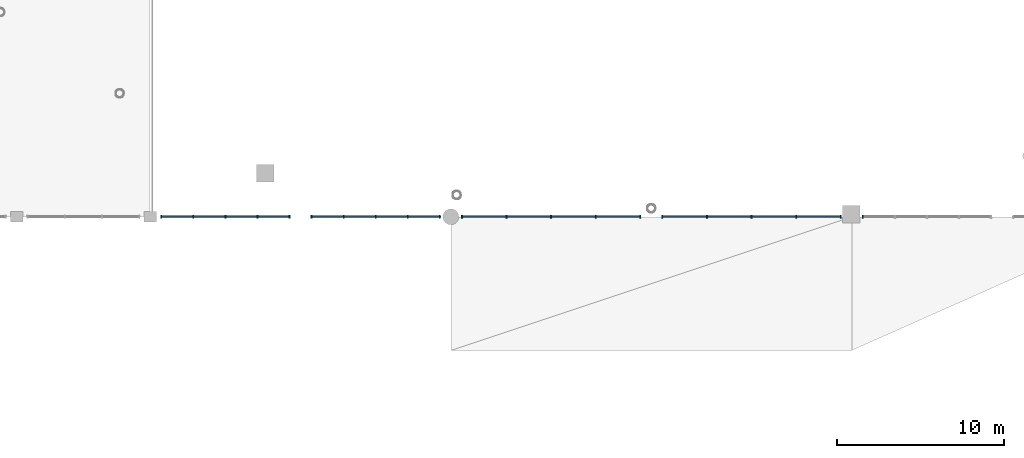
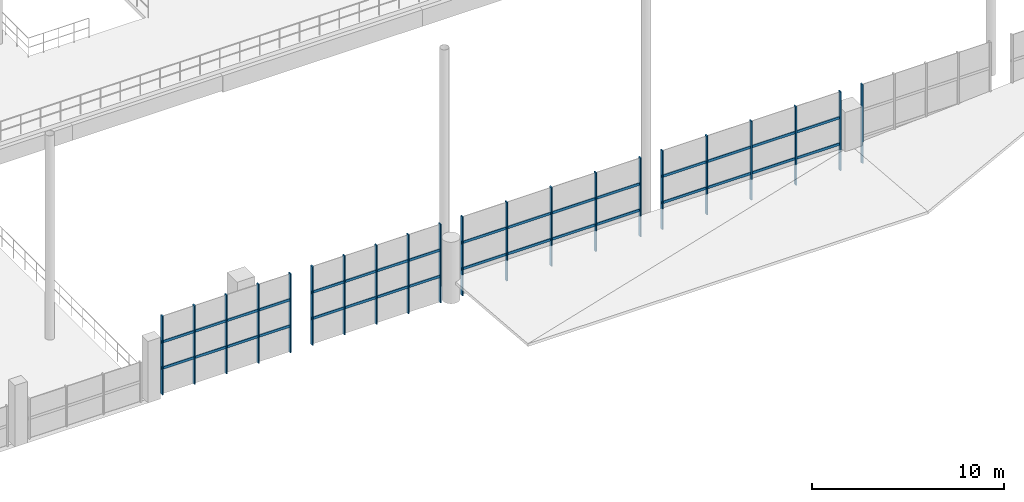
# One storey, part 25 of 123: 29 members, 5 elements without a shape of their own.
"""IFC4 building model written with IfcOpenShell, lengths in metres."""

from ifc_helpers import new_model, si_unit, derived_unit, direction, frame, origin, origin_2d, place, context, subcontext, project, spatial, rectangle, extrude, material, layer, layer_set, material_profile, profile_set, type_object, element, aggregate, save


model = new_model("IFC4")

# Units and contexts
model_context = context("Model", 3, precision=1e-05, world=origin(), true_north=direction((0.0, 1.0)))
body_context = subcontext(model_context, "Body", "Model", "MODEL_VIEW")
ifc_project = project(units=[si_unit("LENGTHUNIT", "METRE"), si_unit("AREAUNIT", "SQUARE_METRE"), si_unit("VOLUMEUNIT", "CUBIC_METRE"), si_unit("PLANEANGLEUNIT", "RADIAN"), si_unit("MASSUNIT", "GRAM", prefix="KILO"), si_unit("THERMODYNAMICTEMPERATUREUNIT", "KELVIN"), derived_unit("THERMALTRANSMITTANCEUNIT", [(si_unit("POWERUNIT", "WATT"), 1), (si_unit("AREAUNIT", "SQUARE_METRE"), -1), (si_unit("THERMODYNAMICTEMPERATUREUNIT", "KELVIN"), -1)])], contexts=[model_context])

# Site, building, storey
site_placement = place(None, origin())
site = spatial("IfcSite", under=ifc_project, at=site_placement, CompositionType="ELEMENT")
building_placement = place(site_placement, origin())
building = spatial("IfcBuilding", under=site, at=building_placement, Name="Haiyu Intermodal Mobility Hub", CompositionType="ELEMENT")
storey_placement = place(building_placement, frame((0.0, 0.0, 5.60009765625)))
storey = spatial("IfcBuildingStorey", under=building, at=storey_placement, Name="L01", CompositionType="ELEMENT", Elevation=5.60009765625)

# Curtain wall, members
ifc_material_1 = material(Name="Low-e laminated insulating glass", Category="glass")
ifc_layer = layer(ifc_material_1, 0.219970703125)
ifc_layer_set = layer_set([ifc_layer], Name="Low-e laminated insulating glass")
curtain_wall_type = type_object("IfcCurtainWallType", Name="CW-CW01", PredefinedType="NOTDEFINED", material=ifc_layer_set)
curtain_wall_1_placement = place(storey_placement, origin())
curtain_wall_1 = element("IfcCurtainWall", 1, at=curtain_wall_1_placement, inside=storey, type_object=curtain_wall_type, Name="Curtain Wall CW-V1S-UP-006", PredefinedType="NOTDEFINED")
ifc_material_2 = material(Name="Anodised aluminium 6063-T6", Category="aluminium")
ifc_material_profile_1 = material_profile(ifc_material_2, rectangle(XDim=0.074951171875, YDim=0.199951171875, at=origin_2d()), Name="ALU75x200")
ifc_profile_set_1 = profile_set([ifc_material_profile_1], Name="Anodised aluminium 6063-T6")
member_type_1 = type_object("IfcMemberType", Name="CWM-ML01", PredefinedType="MULLION", material=ifc_profile_set_1)
member_1_placement = place(storey_placement, frame((78.659912109375, 40.0, 0.0), z_axis=(0.0, 0.0, 1.0), x_axis=(1.0, 0.0, 0.0)))
member_1 = element("IfcMember", 2, at=member_1_placement, type_object=member_type_1, Name="CW-V1S-UP-006-ML01", PredefinedType="MULLION", context=body_context, shape_type="SweptSolid", body=[
    extrude(rectangle(XDim=0.074951171875, YDim=0.199951171875, at=origin_2d()), origin(), (0.0, 0.0, 1.0), 5.0),
])
member_2_placement = place(storey_placement, frame((80.580078125, 40.0, 0.0), z_axis=(0.0, 0.0, 1.0), x_axis=(1.0, 0.0, 0.0)))
member_2 = element("IfcMember", 3, at=member_2_placement, type_object=member_type_1, Name="CW-V1S-UP-006-ML02", PredefinedType="MULLION", context=body_context, shape_type="SweptSolid", body=[
    extrude(rectangle(XDim=0.074951171875, YDim=0.199951171875, at=origin_2d()), origin(), (0.0, 0.0, 1.0), 5.0),
])
member_3_placement = place(storey_placement, frame((82.5, 40.0, 0.0), z_axis=(0.0, 0.0, 1.0), x_axis=(1.0, 0.0, 0.0)))
member_3 = element("IfcMember", 4, at=member_3_placement, type_object=member_type_1, Name="CW-V1S-UP-006-ML03", PredefinedType="MULLION", context=body_context, shape_type="SweptSolid", body=[
    extrude(rectangle(XDim=0.074951171875, YDim=0.199951171875, at=origin_2d()), origin(), (0.0, 0.0, 1.0), 5.0),
])
member_4_placement = place(storey_placement, frame((84.419921875, 40.0, 0.0), z_axis=(0.0, 0.0, 1.0), x_axis=(1.0, 0.0, 0.0)))
member_4 = element("IfcMember", 5, at=member_4_placement, type_object=member_type_1, Name="CW-V1S-UP-006-ML04", PredefinedType="MULLION", context=body_context, shape_type="SweptSolid", body=[
    extrude(rectangle(XDim=0.074951171875, YDim=0.199951171875, at=origin_2d()), origin(), (0.0, 0.0, 1.0), 5.0),
])
member_5_placement = place(storey_placement, frame((86.340087890625, 40.0, 0.0), z_axis=(0.0, 0.0, 1.0), x_axis=(1.0, 0.0, 0.0)))
member_5 = element("IfcMember", 6, at=member_5_placement, type_object=member_type_1, Name="CW-V1S-UP-006-ML05", PredefinedType="MULLION", context=body_context, shape_type="SweptSolid", body=[
    extrude(rectangle(XDim=0.074951171875, YDim=0.199951171875, at=origin_2d()), origin(), (0.0, 0.0, 1.0), 5.0),
])

curtain_wall_2_placement = place(storey_placement, origin())
curtain_wall_2 = element("IfcCurtainWall", 7, at=curtain_wall_2_placement, inside=storey, type_object=curtain_wall_type, Name="Curtain Wall CW-V1S-UP-008", PredefinedType="NOTDEFINED")
member_6_placement = place(storey_placement, frame((87.659912109375, 40.0, 0.0), z_axis=(0.0, 0.0, 1.0), x_axis=(1.0, 0.0, 0.0)))
member_6 = element("IfcMember", 8, at=member_6_placement, type_object=member_type_1, Name="CW-V1S-UP-008-ML01", PredefinedType="MULLION", context=body_context, shape_type="SweptSolid", body=[
    extrude(rectangle(XDim=0.074951171875, YDim=0.199951171875, at=origin_2d()), origin(), (0.0, 0.0, 1.0), 5.0),
])
member_7_placement = place(storey_placement, frame((89.580078125, 40.0, 0.0), z_axis=(0.0, 0.0, 1.0), x_axis=(1.0, 0.0, 0.0)))
member_7 = element("IfcMember", 9, at=member_7_placement, type_object=member_type_1, Name="CW-V1S-UP-008-ML02", PredefinedType="MULLION", context=body_context, shape_type="SweptSolid", body=[
    extrude(rectangle(XDim=0.074951171875, YDim=0.199951171875, at=origin_2d()), origin(), (0.0, 0.0, 1.0), 5.0),
])
member_8_placement = place(storey_placement, frame((91.5, 40.0, 0.0), z_axis=(0.0, 0.0, 1.0), x_axis=(1.0, 0.0, 0.0)))
member_8 = element("IfcMember", 10, at=member_8_placement, type_object=member_type_1, Name="CW-V1S-UP-008-ML03", PredefinedType="MULLION", context=body_context, shape_type="SweptSolid", body=[
    extrude(rectangle(XDim=0.074951171875, YDim=0.199951171875, at=origin_2d()), origin(), (0.0, 0.0, 1.0), 5.0),
])
member_9_placement = place(storey_placement, frame((93.419921875, 40.0, 0.0), z_axis=(0.0, 0.0, 1.0), x_axis=(1.0, 0.0, 0.0)))
member_9 = element("IfcMember", 11, at=member_9_placement, type_object=member_type_1, Name="CW-V1S-UP-008-ML04", PredefinedType="MULLION", context=body_context, shape_type="SweptSolid", body=[
    extrude(rectangle(XDim=0.074951171875, YDim=0.199951171875, at=origin_2d()), origin(), (0.0, 0.0, 1.0), 5.0),
])
member_10_placement = place(storey_placement, frame((95.340087890625, 40.0, 0.0), z_axis=(0.0, 0.0, 1.0), x_axis=(1.0, 0.0, 0.0)))
member_10 = element("IfcMember", 12, at=member_10_placement, type_object=member_type_1, Name="CW-V1S-UP-008-ML05", PredefinedType="MULLION", context=body_context, shape_type="SweptSolid", body=[
    extrude(rectangle(XDim=0.074951171875, YDim=0.199951171875, at=origin_2d()), origin(), (0.0, 0.0, 1.0), 5.0),
])

curtain_wall_3_placement = place(storey_placement, origin())
curtain_wall_3 = element("IfcCurtainWall", 13, at=curtain_wall_3_placement, inside=storey, type_object=curtain_wall_type, Name="Curtain Wall CW-V1S-UP-010", PredefinedType="NOTDEFINED")
member_11_placement = place(storey_placement, frame((96.659912109375, 40.0, 0.0), z_axis=(0.0, 0.0, 1.0), x_axis=(1.0, 0.0, 0.0)))
member_11 = element("IfcMember", 14, at=member_11_placement, type_object=member_type_1, Name="CW-V1S-UP-010-ML01", PredefinedType="MULLION", context=body_context, shape_type="SweptSolid", body=[
    extrude(rectangle(XDim=0.074951171875, YDim=0.199951171875, at=origin_2d()), origin(), (0.0, 0.0, 1.0), 5.0),
])
member_12_placement = place(storey_placement, frame((99.330078125, 40.0, 0.0), z_axis=(0.0, 0.0, 1.0), x_axis=(1.0, 0.0, 0.0)))
member_12 = element("IfcMember", 15, at=member_12_placement, type_object=member_type_1, Name="CW-V1S-UP-010-ML02", PredefinedType="MULLION", context=body_context, shape_type="SweptSolid", body=[
    extrude(rectangle(XDim=0.074951171875, YDim=0.199951171875, at=origin_2d()), origin(), (0.0, 0.0, 1.0), 5.0),
])
member_13_placement = place(storey_placement, frame((102.0, 40.0, 0.0), z_axis=(0.0, 0.0, 1.0), x_axis=(1.0, 0.0, 0.0)))
member_13 = element("IfcMember", 16, at=member_13_placement, type_object=member_type_1, Name="CW-V1S-UP-010-ML03", PredefinedType="MULLION", context=body_context, shape_type="SweptSolid", body=[
    extrude(rectangle(XDim=0.074951171875, YDim=0.199951171875, at=origin_2d()), origin(), (0.0, 0.0, 1.0), 5.0),
])
member_14_placement = place(storey_placement, frame((104.669921875, 40.0, 0.0), z_axis=(0.0, 0.0, 1.0), x_axis=(1.0, 0.0, 0.0)))
member_14 = element("IfcMember", 17, at=member_14_placement, type_object=member_type_1, Name="CW-V1S-UP-010-ML04", PredefinedType="MULLION", context=body_context, shape_type="SweptSolid", body=[
    extrude(rectangle(XDim=0.074951171875, YDim=0.199951171875, at=origin_2d()), origin(), (0.0, 0.0, 1.0), 5.0),
])
member_15_placement = place(storey_placement, frame((107.340087890625, 40.0, 0.0), z_axis=(0.0, 0.0, 1.0), x_axis=(1.0, 0.0, 0.0)))
member_15 = element("IfcMember", 18, at=member_15_placement, type_object=member_type_1, Name="CW-V1S-UP-010-ML05", PredefinedType="MULLION", context=body_context, shape_type="SweptSolid", body=[
    extrude(rectangle(XDim=0.074951171875, YDim=0.199951171875, at=origin_2d()), origin(), (0.0, 0.0, 1.0), 5.0),
])

curtain_wall_4_placement = place(storey_placement, origin())
curtain_wall_4 = element("IfcCurtainWall", 19, at=curtain_wall_4_placement, inside=storey, type_object=curtain_wall_type, Name="Curtain Wall CW-V1S-UP-012", PredefinedType="NOTDEFINED")
member_16_placement = place(storey_placement, frame((108.659912109375, 40.0, 0.0), z_axis=(0.0, 0.0, 1.0), x_axis=(1.0, 0.0, 0.0)))
member_16 = element("IfcMember", 20, at=member_16_placement, type_object=member_type_1, Name="CW-V1S-UP-012-ML01", PredefinedType="MULLION", context=body_context, shape_type="SweptSolid", body=[
    extrude(rectangle(XDim=0.074951171875, YDim=0.199951171875, at=origin_2d()), origin(), (0.0, 0.0, 1.0), 5.0),
])
member_17_placement = place(storey_placement, frame((111.330078125, 40.0, 0.0), z_axis=(0.0, 0.0, 1.0), x_axis=(1.0, 0.0, 0.0)))
member_17 = element("IfcMember", 21, at=member_17_placement, type_object=member_type_1, Name="CW-V1S-UP-012-ML02", PredefinedType="MULLION", context=body_context, shape_type="SweptSolid", body=[
    extrude(rectangle(XDim=0.074951171875, YDim=0.199951171875, at=origin_2d()), origin(), (0.0, 0.0, 1.0), 5.0),
])
member_18_placement = place(storey_placement, frame((114.0, 40.0, 0.0), z_axis=(0.0, 0.0, 1.0), x_axis=(1.0, 0.0, 0.0)))
member_18 = element("IfcMember", 22, at=member_18_placement, type_object=member_type_1, Name="CW-V1S-UP-012-ML03", PredefinedType="MULLION", context=body_context, shape_type="SweptSolid", body=[
    extrude(rectangle(XDim=0.074951171875, YDim=0.199951171875, at=origin_2d()), origin(), (0.0, 0.0, 1.0), 5.0),
])
member_19_placement = place(storey_placement, frame((116.669921875, 40.0, 0.0), z_axis=(0.0, 0.0, 1.0), x_axis=(1.0, 0.0, 0.0)))
member_19 = element("IfcMember", 23, at=member_19_placement, type_object=member_type_1, Name="CW-V1S-UP-012-ML04", PredefinedType="MULLION", context=body_context, shape_type="SweptSolid", body=[
    extrude(rectangle(XDim=0.074951171875, YDim=0.199951171875, at=origin_2d()), origin(), (0.0, 0.0, 1.0), 5.0),
])
member_20_placement = place(storey_placement, frame((119.340087890625, 40.0, 0.0), z_axis=(0.0, 0.0, 1.0), x_axis=(1.0, 0.0, 0.0)))
member_20 = element("IfcMember", 24, at=member_20_placement, type_object=member_type_1, Name="CW-V1S-UP-012-ML05", PredefinedType="MULLION", context=body_context, shape_type="SweptSolid", body=[
    extrude(rectangle(XDim=0.074951171875, YDim=0.199951171875, at=origin_2d()), origin(), (0.0, 0.0, 1.0), 5.0),
])

# Curtain wall, member
curtain_wall_5_placement = place(storey_placement, origin())
curtain_wall_5 = element("IfcCurtainWall", 25, at=curtain_wall_5_placement, inside=storey, type_object=curtain_wall_type, Name="Curtain Wall CW-V1S-UP-014", PredefinedType="NOTDEFINED")
member_21_placement = place(storey_placement, frame((120.659912109375, 40.0, 0.0), z_axis=(0.0, 0.0, 1.0), x_axis=(1.0, 0.0, 0.0)))
member_21 = element("IfcMember", 26, at=member_21_placement, type_object=member_type_1, Name="CW-V1S-UP-014-ML01", PredefinedType="MULLION", context=body_context, shape_type="SweptSolid", body=[
    extrude(rectangle(XDim=0.074951171875, YDim=0.199951171875, at=origin_2d()), origin(), (0.0, 0.0, 1.0), 5.0),
])
aggregate(curtain_wall_5, [member_21])

# Member
ifc_material_profile_2 = material_profile(ifc_material_2, rectangle(XDim=0.074951171875, YDim=0.159912109375, at=origin_2d()), Name="ALU75x160")
ifc_profile_set_2 = profile_set([ifc_material_profile_2], Name="Anodised aluminium 6063-T6")
member_type_2 = type_object("IfcMemberType", Name="CWM-TR01", PredefinedType="USERDEFINED", material=ifc_profile_set_2)
member_22_placement = place(storey_placement, frame((78.6201171875, 40.0, 1.6669921875), z_axis=(1.0, 0.0, 0.0), x_axis=(0.0, 1.0, 0.0)))
member_22 = element("IfcMember", 27, at=member_22_placement, type_object=member_type_2, Name="CW-V1S-UP-006-TR01", ObjectType="TRANSOM", PredefinedType="USERDEFINED", context=body_context, shape_type="SweptSolid", body=[
    extrude(rectangle(XDim=0.074951171875, YDim=0.159912109375, at=origin_2d()), origin(), (0.0, 0.0, 1.0), 7.759765625),
])

member_23_placement = place(storey_placement, frame((78.6201171875, 40.0, 3.3330078125), z_axis=(1.0, 0.0, 0.0), x_axis=(0.0, 1.0, 0.0)))
member_23 = element("IfcMember", 28, at=member_23_placement, type_object=member_type_2, Name="CW-V1S-UP-006-TR02", ObjectType="TRANSOM", PredefinedType="USERDEFINED", context=body_context, shape_type="SweptSolid", body=[
    extrude(rectangle(XDim=0.074951171875, YDim=0.159912109375, at=origin_2d()), origin(), (0.0, 0.0, 1.0), 7.759765625),
])

aggregate(curtain_wall_1, [member_1, member_2, member_3, member_4, member_5, member_22, member_23])

member_24_placement = place(storey_placement, frame((87.6201171875, 40.0, 1.6669921875), z_axis=(1.0, 0.0, 0.0), x_axis=(0.0, 1.0, 0.0)))
member_24 = element("IfcMember", 29, at=member_24_placement, type_object=member_type_2, Name="CW-V1S-UP-008-TR01", ObjectType="TRANSOM", PredefinedType="USERDEFINED", context=body_context, shape_type="SweptSolid", body=[
    extrude(rectangle(XDim=0.074951171875, YDim=0.159912109375, at=origin_2d()), origin(), (0.0, 0.0, 1.0), 7.759765625),
])

member_25_placement = place(storey_placement, frame((87.6201171875, 40.0, 3.3330078125), z_axis=(1.0, 0.0, 0.0), x_axis=(0.0, 1.0, 0.0)))
member_25 = element("IfcMember", 30, at=member_25_placement, type_object=member_type_2, Name="CW-V1S-UP-008-TR02", ObjectType="TRANSOM", PredefinedType="USERDEFINED", context=body_context, shape_type="SweptSolid", body=[
    extrude(rectangle(XDim=0.074951171875, YDim=0.159912109375, at=origin_2d()), origin(), (0.0, 0.0, 1.0), 7.759765625),
])

aggregate(curtain_wall_2, [member_6, member_7, member_8, member_9, member_10, member_24, member_25])

member_26_placement = place(storey_placement, frame((96.6201171875, 40.0, 1.6669921875), z_axis=(1.0, 0.0, 0.0), x_axis=(0.0, 1.0, 0.0)))
member_26 = element("IfcMember", 31, at=member_26_placement, type_object=member_type_2, Name="CW-V1S-UP-010-TR01", ObjectType="TRANSOM", PredefinedType="USERDEFINED", context=body_context, shape_type="SweptSolid", body=[
    extrude(rectangle(XDim=0.074951171875, YDim=0.159912109375, at=origin_2d()), origin(), (0.0, 0.0, 1.0), 10.759765625),
])

member_27_placement = place(storey_placement, frame((96.6201171875, 40.0, 3.3330078125), z_axis=(1.0, 0.0, 0.0), x_axis=(0.0, 1.0, 0.0)))
member_27 = element("IfcMember", 32, at=member_27_placement, type_object=member_type_2, Name="CW-V1S-UP-010-TR02", ObjectType="TRANSOM", PredefinedType="USERDEFINED", context=body_context, shape_type="SweptSolid", body=[
    extrude(rectangle(XDim=0.074951171875, YDim=0.159912109375, at=origin_2d()), origin(), (0.0, 0.0, 1.0), 10.759765625),
])

aggregate(curtain_wall_3, [member_11, member_12, member_13, member_14, member_15, member_26, member_27])

member_28_placement = place(storey_placement, frame((108.6201171875, 40.0, 1.6669921875), z_axis=(1.0, 0.0, 0.0), x_axis=(0.0, 1.0, 0.0)))
member_28 = element("IfcMember", 33, at=member_28_placement, type_object=member_type_2, Name="CW-V1S-UP-012-TR01", ObjectType="TRANSOM", PredefinedType="USERDEFINED", context=body_context, shape_type="SweptSolid", body=[
    extrude(rectangle(XDim=0.074951171875, YDim=0.159912109375, at=origin_2d()), origin(), (0.0, 0.0, 1.0), 10.759765625),
])

member_29_placement = place(storey_placement, frame((108.6201171875, 40.0, 3.3330078125), z_axis=(1.0, 0.0, 0.0), x_axis=(0.0, 1.0, 0.0)))
member_29 = element("IfcMember", 34, at=member_29_placement, type_object=member_type_2, Name="CW-V1S-UP-012-TR02", ObjectType="TRANSOM", PredefinedType="USERDEFINED", context=body_context, shape_type="SweptSolid", body=[
    extrude(rectangle(XDim=0.074951171875, YDim=0.159912109375, at=origin_2d()), origin(), (0.0, 0.0, 1.0), 10.759765625),
])

aggregate(curtain_wall_4, [member_16, member_17, member_18, member_19, member_20, member_28, member_29])

save(model, "model.ifc")
